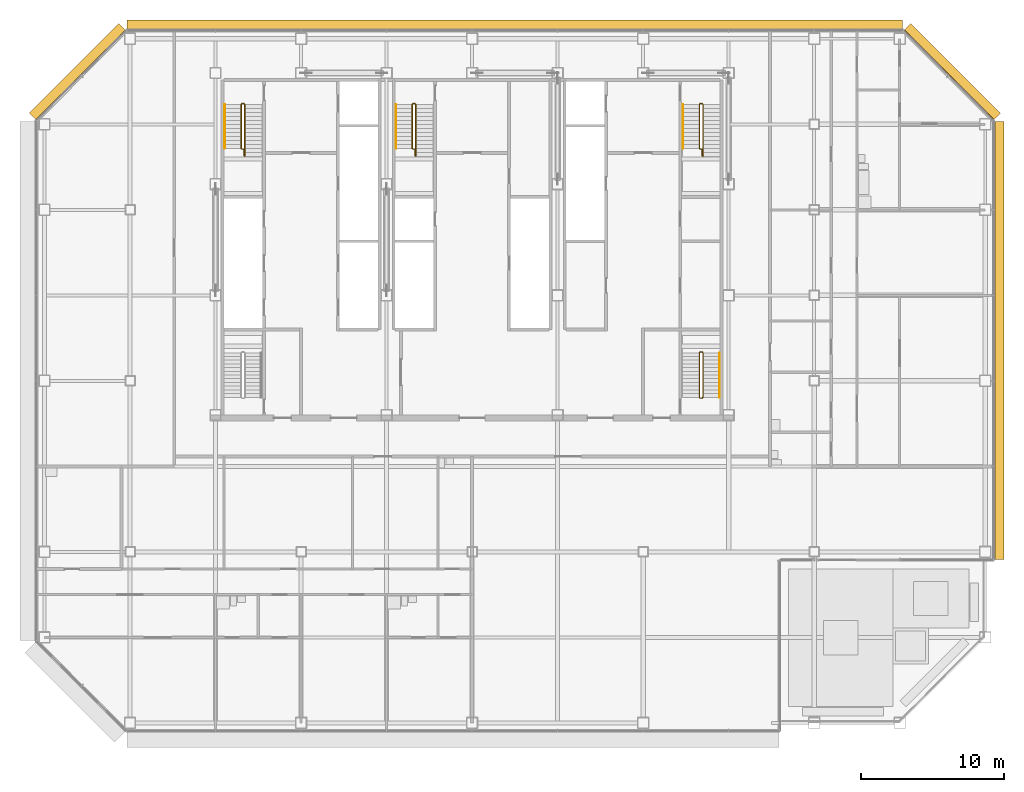
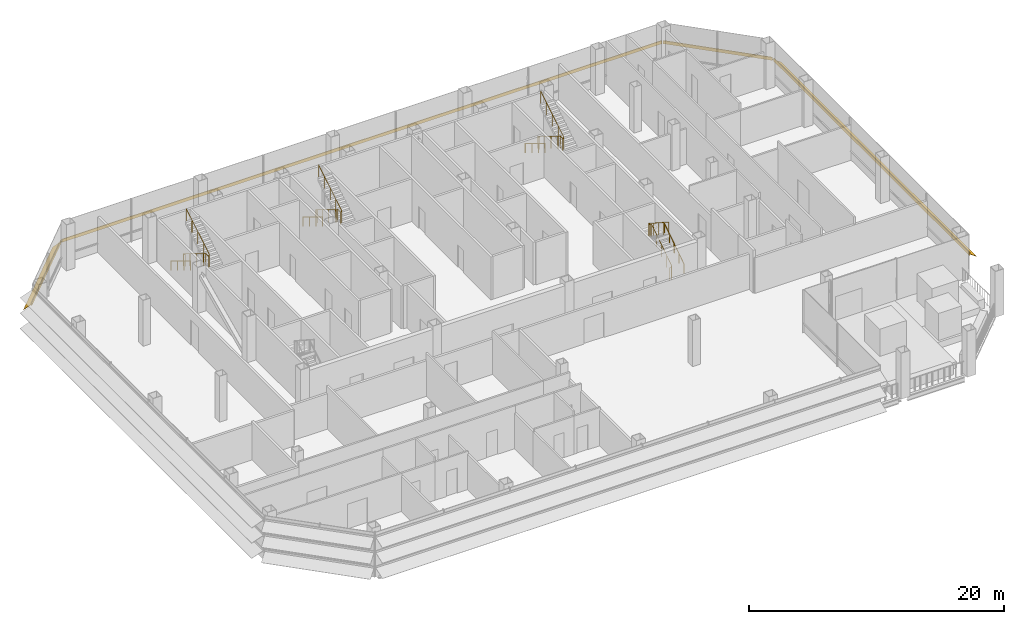
# One storey, part 26 of 28: 8 railings, 4 shading devices.
"""IFC4 building model written with IfcOpenShell, lengths in metres."""

from ifc_helpers import new_model, si_unit, direction, frame, origin, origin_2d, place, context, subcontext, project, spatial, polyline, circle, outline, extrude, material, type_object, element, save


model = new_model("IFC4")

# Units and contexts
model_context = context("Model", 3, precision=1e-05, world=origin(), true_north=direction((0.0, 1.0)))
body_context = subcontext(model_context, "Body", "Model", "MODEL_VIEW")
ifc_project = project(units=[si_unit("LENGTHUNIT", "METRE"), si_unit("AREAUNIT", "SQUARE_METRE"), si_unit("VOLUMEUNIT", "CUBIC_METRE"), si_unit("PLANEANGLEUNIT", "RADIAN"), si_unit("MASSUNIT", "GRAM", prefix="KILO")], contexts=[model_context])

# Site, building, storey
site_placement = place(None, origin())
site = spatial("IfcSite", under=ifc_project, at=site_placement, CompositionType="ELEMENT")
building_placement = place(site_placement, origin())
building = spatial("IfcBuilding", under=site, at=building_placement, Name="Sorahane Residences", CompositionType="ELEMENT")
storey_placement = place(building_placement, frame((0.0, 0.0, 134.0)))
storey = spatial("IfcBuildingStorey", under=building, at=storey_placement, Name="L30", CompositionType="ELEMENT", Elevation=134.0)

# Shading devices
ifc_material_1 = material(Name="Terracotta anodised aluminium", Category="masonry")
shading_device_type_1 = type_object("IfcShadingDeviceType", Name="Louvre sunshade blade E terracotta aluminium 700", PredefinedType="JALOUSIE", material=ifc_material_1)
shading_device_1_placement = place(storey_placement, frame((60.60009765625, 11.449951171875, 2.199951171875), z_axis=(0.0, 1.0, 0.0), x_axis=(-1.0, 0.0, 0.0)))
element("IfcShadingDevice", 1, at=shading_device_1_placement, inside=storey, type_object=shading_device_type_1, Name="Louvre sunshade blade bank E L30 E2", PredefinedType="JALOUSIE", context=body_context, shape_type="SweptSolid", body=[
    extrude(outline(polyline([(-0.719970703125, -0.49365234375), (-0.719970703125, -0.523681640625), (-0.080078125, -0.05859375), (-0.080078125, -0.14990234375), (-0.02001953125, -0.14990234375), (-0.02001953125, -0.014892578125), (-0.02001953125, 0.014892578125), (-0.02001953125, 0.14990234375), (-0.080078125, 0.14990234375), (-0.080078125, -0.028564453125), (-0.719970703125, -0.49365234375)])), origin(), (0.0, 0.0, 1.0), 30.74853515625),
])
ifc_material_2 = material(Name="Terracotta anodised aluminium", Category="masonry")
shading_device_type_2 = type_object("IfcShadingDeviceType", Name="Louvre sunshade blade N terracotta aluminium 700", PredefinedType="JALOUSIE", material=ifc_material_2)
shading_device_2_placement = place(storey_placement, frame((54.198486328125, 48.60009765625, 2.199951171875), z_axis=(-1.0, 0.0, 0.0), x_axis=(0.0, -1.0, 0.0)))
element("IfcShadingDevice", 2, at=shading_device_2_placement, inside=storey, type_object=shading_device_type_2, Name="Louvre sunshade blade bank N L30 N1", PredefinedType="JALOUSIE", context=body_context, shape_type="SweptSolid", body=[
    extrude(outline(polyline([(-0.719970703125, -0.660888671875), (-0.719970703125, -0.69091796875), (-0.080078125, -0.072998046875), (-0.080078125, -0.14990234375), (-0.02001953125, -0.14990234375), (-0.02001953125, -0.014892578125), (-0.02001953125, 0.014892578125), (-0.02001953125, 0.14990234375), (-0.080078125, 0.14990234375), (-0.080078125, -0.04296875), (-0.719970703125, -0.660888671875)])), origin(), (0.0, 0.0, 1.0), 54.39697265625),
])
ifc_material_3 = material(Name="Terracotta anodised aluminium", Category="masonry")
shading_device_type_3 = type_object("IfcShadingDeviceType", Name="Louvre sunshade blade NE terracotta aluminium 700", PredefinedType="JALOUSIE", material=ifc_material_3)
shading_device_3_placement = place(storey_placement, frame((60.564697265625, 42.283935546875, 2.199951171875), z_axis=(-0.707106781187, 0.707106781187, 0.0), x_axis=(-0.707106781187, -0.707106781187, 0.0)))
element("IfcShadingDevice", 3, at=shading_device_3_placement, inside=storey, type_object=shading_device_type_3, Name="Louvre sunshade blade bank NE L30 NE1", PredefinedType="JALOUSIE", context=body_context, shape_type="SweptSolid", body=[
    extrude(outline(polyline([(-0.719970703125, -0.572509765625), (-0.719970703125, -0.602294921875), (-0.080078125, -0.065185546875), (-0.080078125, -0.14990234375), (-0.02001953125, -0.14990234375), (-0.02001953125, -0.014892578125), (-0.02001953125, 0.014892578125), (-0.02001953125, 0.14990234375), (-0.080078125, 0.14990234375), (-0.080078125, -0.035400390625), (-0.719970703125, -0.572509765625)])), origin(), (0.0, 0.0, 1.0), 8.88232421875),
])
ifc_material_4 = material(Name="Terracotta anodised aluminium", Category="masonry")
shading_device_type_4 = type_object("IfcShadingDeviceType", Name="Louvre sunshade blade NW terracotta aluminium 700", PredefinedType="JALOUSIE", material=ifc_material_4)
shading_device_4_placement = place(storey_placement, frame((-0.283935546875, 48.564697265625, 2.199951171875), z_axis=(-0.707106781187, -0.707106781187, 0.0), x_axis=(0.707106781187, -0.707106781187, 0.0)))
element("IfcShadingDevice", 4, at=shading_device_4_placement, inside=storey, type_object=shading_device_type_4, Name="Louvre sunshade blade bank NW L30 NW1", PredefinedType="JALOUSIE", context=body_context, shape_type="SweptSolid", body=[
    extrude(outline(polyline([(-0.719970703125, -0.660888671875), (-0.719970703125, -0.69091796875), (-0.080078125, -0.072998046875), (-0.080078125, -0.14990234375), (-0.02001953125, -0.14990234375), (-0.02001953125, -0.014892578125), (-0.02001953125, 0.014892578125), (-0.02001953125, 0.14990234375), (-0.080078125, 0.14990234375), (-0.080078125, -0.04296875), (-0.719970703125, -0.660888671875)])), origin(), (0.0, 0.0, 1.0), 8.88232421875),
])

# Railings
ifc_material_5 = material(Name="Steel Q355B", Category="steel")
railing_type_1 = type_object("IfcRailingType", Name="Stair guard 1200 Steel Q355B", PredefinedType="GUARDRAIL", material=ifc_material_5)
railing_1_placement = place(storey_placement, frame((8.0, 43.449951171875, 0.0)))
element("IfcRailing", 5, at=railing_1_placement, inside=storey, type_object=railing_type_1, Name="L30 S1 stair guard 1", PredefinedType="GUARDRAIL", context=body_context, shape_type="SweptSolid", body=[
    extrude(circle(Radius=0.02392578125, at=origin_2d()), frame((0.0, 0.0, 1.17578125), z_axis=(-1.0, 0.0, 0.0), x_axis=(0.0, -1.0, 0.0)), (0.0, 0.0, 1.0), 0.14990234375),
    extrude(circle(Radius=0.02392578125, at=origin_2d()), frame((-0.14990234375, 0.0, 1.17578125), z_axis=(-0.272897288611, -0.272897288611, 0.922525956132), x_axis=(0.707106781187, -0.707106781187, 0.0)), (0.0, 0.0, 1.0), 0.183349609375),
    extrude(circle(Radius=0.02392578125, at=origin_2d()), frame((-0.199951171875, -0.050048828125, 1.34521484375), z_axis=(0.0, -0.855812307579, 0.51728647208), x_axis=(1.0, 0.0, 0.0)), (0.0, 0.0, 1.0), 3.5986328125),
    extrude(circle(Radius=0.02392578125, at=origin_2d()), frame((-0.199951171875, -3.1298828125, 3.20654296875), z_axis=(0.707106781187, -0.707106781187, 0.0), x_axis=(0.707106781187, 0.707106781187, 0.0)), (0.0, 0.0, 1.0), 0.07080078125),
    extrude(circle(Radius=0.02392578125, at=origin_2d()), frame((-0.14990234375, -3.179931640625, 3.20654296875), z_axis=(1.0, 0.0, 0.0), x_axis=(0.0, 1.0, 0.0)), (0.0, 0.0, 1.0), 0.14990234375),
    extrude(circle(Radius=0.02392578125, at=origin_2d()), frame((0.0, -3.179931640625, 3.20654296875), z_axis=(0.0, -1.0, 0.0), x_axis=(1.0, 0.0, 0.0)), (0.0, 0.0, 1.0), 0.4599609375),
    extrude(circle(Radius=0.02392578125, at=origin_2d()), frame((0.0, -3.639892578125, 3.20654296875), z_axis=(0.272897288611, -0.272897288611, 0.922525956132), x_axis=(0.707106781187, 0.707106781187, 0.0)), (0.0, 0.0, 1.0), 0.183349609375),
    extrude(circle(Radius=0.02392578125, at=origin_2d()), frame((0.050048828125, -3.68994140625, 3.3759765625), z_axis=(0.0, 0.855827133697, 0.517261942568), x_axis=(-1.0, 0.0, 0.0)), (0.0, 0.0, 1.0), 4.253173828125),
    extrude(circle(Radius=0.02099609375, at=origin_2d()), origin(), (0.0, 0.0, 1.0), 1.15185546875),
    extrude(circle(Radius=0.02099609375, at=origin_2d()), frame((-0.14990234375, 0.0, 0.0)), (0.0, 0.0, 1.0), 1.15185546875),
    extrude(circle(Radius=0.02099609375, at=origin_2d()), frame((-0.199951171875, -0.050048828125, 0.169189453125)), (0.0, 0.0, 1.0), 1.15185546875),
    extrude(circle(Radius=0.02099609375, at=origin_2d()), frame((-0.199951171875, -1.07666015625, 0.789794921875)), (0.0, 0.0, 1.0), 1.15185546875),
    extrude(circle(Radius=0.02099609375, at=origin_2d()), frame((-0.199951171875, -2.103271484375, 1.41015625)), (0.0, 0.0, 1.0), 1.15185546875),
    extrude(circle(Radius=0.02099609375, at=origin_2d()), frame((-0.199951171875, -3.1298828125, 2.03076171875)), (0.0, 0.0, 1.0), 1.15185546875),
    extrude(circle(Radius=0.02099609375, at=origin_2d()), frame((-0.14990234375, -3.179931640625, 2.03076171875)), (0.0, 0.0, 1.0), 1.15185546875),
    extrude(circle(Radius=0.02099609375, at=origin_2d()), frame((0.0, -3.179931640625, 2.03076171875)), (0.0, 0.0, 1.0), 1.15185546875),
    extrude(circle(Radius=0.02099609375, at=origin_2d()), frame((0.0, -3.639892578125, 2.03076171875)), (0.0, 0.0, 1.0), 1.15185546875),
    extrude(circle(Radius=0.02099609375, at=origin_2d()), frame((0.050048828125, -3.68994140625, 2.199951171875)), (0.0, 0.0, 1.0), 1.15185546875),
    extrude(circle(Radius=0.02099609375, at=origin_2d()), frame((0.050048828125, -2.780029296875, 2.75)), (0.0, 0.0, 1.0), 1.15185546875),
    extrude(circle(Radius=0.02099609375, at=origin_2d()), frame((0.050048828125, -1.8701171875, 3.2998046875)), (0.0, 0.0, 1.0), 1.15185546875),
    extrude(circle(Radius=0.02099609375, at=origin_2d()), frame((0.050048828125, -0.9599609375, 3.849853515625)), (0.0, 0.0, 1.0), 1.15185546875),
    extrude(circle(Radius=0.02099609375, at=origin_2d()), frame((0.050048828125, -0.050048828125, 4.39990234375)), (0.0, 0.0, 1.0), 1.15185546875),
])
railing_2_placement = place(storey_placement, frame((40.14990234375, 43.449951171875, 0.0)))
element("IfcRailing", 6, at=railing_2_placement, inside=storey, type_object=railing_type_1, Name="L30 S2 stair guard 1", PredefinedType="GUARDRAIL", context=body_context, shape_type="SweptSolid", body=[
    extrude(circle(Radius=0.02392578125, at=origin_2d()), frame((0.0, 0.0, 1.17578125), z_axis=(-1.0, 0.0, 0.0), x_axis=(0.0, -1.0, 0.0)), (0.0, 0.0, 1.0), 0.14990234375),
    extrude(circle(Radius=0.02392578125, at=origin_2d()), frame((-0.14990234375, 0.0, 1.17578125), z_axis=(-0.272897288611, -0.272897288611, 0.922525956132), x_axis=(0.707106781187, -0.707106781187, 0.0)), (0.0, 0.0, 1.0), 0.183349609375),
    extrude(circle(Radius=0.02392578125, at=origin_2d()), frame((-0.199951171875, -0.050048828125, 1.34521484375), z_axis=(0.0, -0.855812307579, 0.51728647208), x_axis=(1.0, 0.0, 0.0)), (0.0, 0.0, 1.0), 3.5986328125),
    extrude(circle(Radius=0.02392578125, at=origin_2d()), frame((-0.199951171875, -3.1298828125, 3.20654296875), z_axis=(0.707106781187, -0.707106781187, 0.0), x_axis=(0.707106781187, 0.707106781187, 0.0)), (0.0, 0.0, 1.0), 0.07080078125),
    extrude(circle(Radius=0.02392578125, at=origin_2d()), frame((-0.14990234375, -3.179931640625, 3.20654296875), z_axis=(1.0, 0.0, 0.0), x_axis=(0.0, 1.0, 0.0)), (0.0, 0.0, 1.0), 0.14990234375),
    extrude(circle(Radius=0.02392578125, at=origin_2d()), frame((0.0, -3.179931640625, 3.20654296875), z_axis=(0.0, -1.0, 0.0), x_axis=(1.0, 0.0, 0.0)), (0.0, 0.0, 1.0), 0.4599609375),
    extrude(circle(Radius=0.02392578125, at=origin_2d()), frame((0.0, -3.639892578125, 3.20654296875), z_axis=(0.272897288611, -0.272897288611, 0.922525956132), x_axis=(0.707106781187, 0.707106781187, 0.0)), (0.0, 0.0, 1.0), 0.183349609375),
    extrude(circle(Radius=0.02392578125, at=origin_2d()), frame((0.050048828125, -3.68994140625, 3.3759765625), z_axis=(0.0, 0.855827133697, 0.517261942568), x_axis=(-1.0, 0.0, 0.0)), (0.0, 0.0, 1.0), 4.253173828125),
    extrude(circle(Radius=0.02099609375, at=origin_2d()), origin(), (0.0, 0.0, 1.0), 1.15185546875),
    extrude(circle(Radius=0.02099609375, at=origin_2d()), frame((-0.14990234375, 0.0, 0.0)), (0.0, 0.0, 1.0), 1.15185546875),
    extrude(circle(Radius=0.02099609375, at=origin_2d()), frame((-0.199951171875, -0.050048828125, 0.169189453125)), (0.0, 0.0, 1.0), 1.15185546875),
    extrude(circle(Radius=0.02099609375, at=origin_2d()), frame((-0.199951171875, -1.07666015625, 0.789794921875)), (0.0, 0.0, 1.0), 1.15185546875),
    extrude(circle(Radius=0.02099609375, at=origin_2d()), frame((-0.199951171875, -2.103271484375, 1.41015625)), (0.0, 0.0, 1.0), 1.15185546875),
    extrude(circle(Radius=0.02099609375, at=origin_2d()), frame((-0.199951171875, -3.1298828125, 2.03076171875)), (0.0, 0.0, 1.0), 1.15185546875),
    extrude(circle(Radius=0.02099609375, at=origin_2d()), frame((-0.14990234375, -3.179931640625, 2.03076171875)), (0.0, 0.0, 1.0), 1.15185546875),
    extrude(circle(Radius=0.02099609375, at=origin_2d()), frame((0.0, -3.179931640625, 2.03076171875)), (0.0, 0.0, 1.0), 1.15185546875),
    extrude(circle(Radius=0.02099609375, at=origin_2d()), frame((0.0, -3.639892578125, 2.03076171875)), (0.0, 0.0, 1.0), 1.15185546875),
    extrude(circle(Radius=0.02099609375, at=origin_2d()), frame((0.050048828125, -3.68994140625, 2.199951171875)), (0.0, 0.0, 1.0), 1.15185546875),
    extrude(circle(Radius=0.02099609375, at=origin_2d()), frame((0.050048828125, -2.780029296875, 2.75)), (0.0, 0.0, 1.0), 1.15185546875),
    extrude(circle(Radius=0.02099609375, at=origin_2d()), frame((0.050048828125, -1.8701171875, 3.2998046875)), (0.0, 0.0, 1.0), 1.15185546875),
    extrude(circle(Radius=0.02099609375, at=origin_2d()), frame((0.050048828125, -0.9599609375, 3.849853515625)), (0.0, 0.0, 1.0), 1.15185546875),
    extrude(circle(Radius=0.02099609375, at=origin_2d()), frame((0.050048828125, -0.050048828125, 4.39990234375)), (0.0, 0.0, 1.0), 1.15185546875),
])
railing_3_placement = place(storey_placement, frame((20.0, 43.449951171875, 0.0)))
element("IfcRailing", 7, at=railing_3_placement, inside=storey, type_object=railing_type_1, Name="L30 S3 stair guard 1", PredefinedType="GUARDRAIL", context=body_context, shape_type="SweptSolid", body=[
    extrude(circle(Radius=0.02392578125, at=origin_2d()), frame((0.0, 0.0, 1.17578125), z_axis=(-1.0, 0.0, 0.0), x_axis=(0.0, -1.0, 0.0)), (0.0, 0.0, 1.0), 0.14990234375),
    extrude(circle(Radius=0.02392578125, at=origin_2d()), frame((-0.14990234375, 0.0, 1.17578125), z_axis=(-0.272897288611, -0.272897288611, 0.922525956132), x_axis=(0.707106781187, -0.707106781187, 0.0)), (0.0, 0.0, 1.0), 0.183349609375),
    extrude(circle(Radius=0.02392578125, at=origin_2d()), frame((-0.199951171875, -0.050048828125, 1.34521484375), z_axis=(0.0, -0.855812307579, 0.51728647208), x_axis=(1.0, 0.0, 0.0)), (0.0, 0.0, 1.0), 3.5986328125),
    extrude(circle(Radius=0.02392578125, at=origin_2d()), frame((-0.199951171875, -3.1298828125, 3.20654296875), z_axis=(0.707106781187, -0.707106781187, 0.0), x_axis=(0.707106781187, 0.707106781187, 0.0)), (0.0, 0.0, 1.0), 0.07080078125),
    extrude(circle(Radius=0.02392578125, at=origin_2d()), frame((-0.14990234375, -3.179931640625, 3.20654296875), z_axis=(1.0, 0.0, 0.0), x_axis=(0.0, 1.0, 0.0)), (0.0, 0.0, 1.0), 0.14990234375),
    extrude(circle(Radius=0.02392578125, at=origin_2d()), frame((0.0, -3.179931640625, 3.20654296875), z_axis=(0.0, -1.0, 0.0), x_axis=(1.0, 0.0, 0.0)), (0.0, 0.0, 1.0), 0.4599609375),
    extrude(circle(Radius=0.02392578125, at=origin_2d()), frame((0.0, -3.639892578125, 3.20654296875), z_axis=(0.272897288611, -0.272897288611, 0.922525956132), x_axis=(0.707106781187, 0.707106781187, 0.0)), (0.0, 0.0, 1.0), 0.183349609375),
    extrude(circle(Radius=0.02392578125, at=origin_2d()), frame((0.050048828125, -3.68994140625, 3.3759765625), z_axis=(0.0, 0.855827133697, 0.517261942568), x_axis=(-1.0, 0.0, 0.0)), (0.0, 0.0, 1.0), 4.253173828125),
    extrude(circle(Radius=0.02099609375, at=origin_2d()), origin(), (0.0, 0.0, 1.0), 1.15185546875),
    extrude(circle(Radius=0.02099609375, at=origin_2d()), frame((-0.14990234375, 0.0, 0.0)), (0.0, 0.0, 1.0), 1.15185546875),
    extrude(circle(Radius=0.02099609375, at=origin_2d()), frame((-0.199951171875, -0.050048828125, 0.169189453125)), (0.0, 0.0, 1.0), 1.15185546875),
    extrude(circle(Radius=0.02099609375, at=origin_2d()), frame((-0.199951171875, -1.07666015625, 0.789794921875)), (0.0, 0.0, 1.0), 1.15185546875),
    extrude(circle(Radius=0.02099609375, at=origin_2d()), frame((-0.199951171875, -2.103271484375, 1.41015625)), (0.0, 0.0, 1.0), 1.15185546875),
    extrude(circle(Radius=0.02099609375, at=origin_2d()), frame((-0.199951171875, -3.1298828125, 2.03076171875)), (0.0, 0.0, 1.0), 1.15185546875),
    extrude(circle(Radius=0.02099609375, at=origin_2d()), frame((-0.14990234375, -3.179931640625, 2.03076171875)), (0.0, 0.0, 1.0), 1.15185546875),
    extrude(circle(Radius=0.02099609375, at=origin_2d()), frame((0.0, -3.179931640625, 2.03076171875)), (0.0, 0.0, 1.0), 1.15185546875),
    extrude(circle(Radius=0.02099609375, at=origin_2d()), frame((0.0, -3.639892578125, 2.03076171875)), (0.0, 0.0, 1.0), 1.15185546875),
    extrude(circle(Radius=0.02099609375, at=origin_2d()), frame((0.050048828125, -3.68994140625, 2.199951171875)), (0.0, 0.0, 1.0), 1.15185546875),
    extrude(circle(Radius=0.02099609375, at=origin_2d()), frame((0.050048828125, -2.780029296875, 2.75)), (0.0, 0.0, 1.0), 1.15185546875),
    extrude(circle(Radius=0.02099609375, at=origin_2d()), frame((0.050048828125, -1.8701171875, 3.2998046875)), (0.0, 0.0, 1.0), 1.15185546875),
    extrude(circle(Radius=0.02099609375, at=origin_2d()), frame((0.050048828125, -0.9599609375, 3.849853515625)), (0.0, 0.0, 1.0), 1.15185546875),
    extrude(circle(Radius=0.02099609375, at=origin_2d()), frame((0.050048828125, -0.050048828125, 4.39990234375)), (0.0, 0.0, 1.0), 1.15185546875),
])
railing_4_placement = place(storey_placement, frame((40.0, 22.800048828125, 0.0)))
element("IfcRailing", 8, at=railing_4_placement, inside=storey, type_object=railing_type_1, Name="L30 S5 stair guard 1", PredefinedType="GUARDRAIL", context=body_context, shape_type="SweptSolid", body=[
    extrude(circle(Radius=0.02392578125, at=origin_2d()), frame((0.0, 0.0, 1.17578125), z_axis=(1.0, 0.0, 0.0), x_axis=(0.0, 1.0, 0.0)), (0.0, 0.0, 1.0), 0.14990234375),
    extrude(circle(Radius=0.02392578125, at=origin_2d()), frame((0.14990234375, 0.0, 1.17578125), z_axis=(0.272897288611, 0.272897288611, 0.922525956132), x_axis=(-0.707106781187, 0.707106781187, 0.0)), (0.0, 0.0, 1.0), 0.183349609375),
    extrude(circle(Radius=0.02392578125, at=origin_2d()), frame((0.199951171875, 0.050048828125, 1.34521484375), z_axis=(0.0, 0.838094317583, 0.54552535673), x_axis=(-1.0, 0.0, 0.0)), (0.0, 0.0, 1.0), 3.72265625),
    extrude(circle(Radius=0.02392578125, at=origin_2d()), frame((0.199951171875, 3.169921875, 3.3759765625), z_axis=(-0.707106781187, 0.707106781187, 0.0), x_axis=(-0.707106781187, -0.707106781187, 0.0)), (0.0, 0.0, 1.0), 0.07080078125),
    extrude(circle(Radius=0.02392578125, at=origin_2d()), frame((0.14990234375, 3.219970703125, 3.3759765625), z_axis=(-1.0, 0.0, 0.0), x_axis=(0.0, -1.0, 0.0)), (0.0, 0.0, 1.0), 0.14990234375),
    extrude(circle(Radius=0.02392578125, at=origin_2d()), frame((0.0, 3.219970703125, 3.3759765625), z_axis=(-0.272897288611, -0.272897288611, 0.922525956132), x_axis=(0.707106781187, -0.707106781187, 0.0)), (0.0, 0.0, 1.0), 0.183349609375),
    extrude(circle(Radius=0.02392578125, at=origin_2d()), frame((-0.050048828125, 3.169921875, 3.544921875), z_axis=(0.0, -0.838094317583, 0.54552535673), x_axis=(1.0, 0.0, 0.0)), (0.0, 0.0, 1.0), 3.72265625),
    extrude(circle(Radius=0.02099609375, at=origin_2d()), origin(), (0.0, 0.0, 1.0), 1.15185546875),
    extrude(circle(Radius=0.02099609375, at=origin_2d()), frame((0.14990234375, 0.0, 0.0)), (0.0, 0.0, 1.0), 1.15185546875),
    extrude(circle(Radius=0.02099609375, at=origin_2d()), frame((0.199951171875, 0.050048828125, 0.169189453125)), (0.0, 0.0, 1.0), 1.15185546875),
    extrude(circle(Radius=0.02099609375, at=origin_2d()), frame((0.199951171875, 0.830078125, 0.6767578125)), (0.0, 0.0, 1.0), 1.15185546875),
    extrude(circle(Radius=0.02099609375, at=origin_2d()), frame((0.199951171875, 1.60986328125, 1.1845703125)), (0.0, 0.0, 1.0), 1.15185546875),
    extrude(circle(Radius=0.02099609375, at=origin_2d()), frame((0.199951171875, 2.389892578125, 1.6923828125)), (0.0, 0.0, 1.0), 1.15185546875),
    extrude(circle(Radius=0.02099609375, at=origin_2d()), frame((0.199951171875, 3.169921875, 2.199951171875)), (0.0, 0.0, 1.0), 1.15185546875),
    extrude(circle(Radius=0.02099609375, at=origin_2d()), frame((0.14990234375, 3.219970703125, 2.199951171875)), (0.0, 0.0, 1.0), 1.15185546875),
    extrude(circle(Radius=0.02099609375, at=origin_2d()), frame((0.0, 3.219970703125, 2.199951171875)), (0.0, 0.0, 1.0), 1.15185546875),
    extrude(circle(Radius=0.02099609375, at=origin_2d()), frame((-0.050048828125, 3.169921875, 2.369140625)), (0.0, 0.0, 1.0), 1.15185546875),
    extrude(circle(Radius=0.02099609375, at=origin_2d()), frame((-0.050048828125, 2.389892578125, 2.876953125)), (0.0, 0.0, 1.0), 1.15185546875),
    extrude(circle(Radius=0.02099609375, at=origin_2d()), frame((-0.050048828125, 1.60986328125, 3.384521484375)), (0.0, 0.0, 1.0), 1.15185546875),
    extrude(circle(Radius=0.02099609375, at=origin_2d()), frame((-0.050048828125, 0.830078125, 3.89208984375)), (0.0, 0.0, 1.0), 1.15185546875),
    extrude(circle(Radius=0.02099609375, at=origin_2d()), frame((-0.050048828125, 0.050048828125, 4.39990234375)), (0.0, 0.0, 1.0), 1.15185546875),
])
ifc_material_6 = material(Name="Steel Q355B", Category="steel")
railing_type_2 = type_object("IfcRailingType", Name="Stair handrail 900 Steel Q355B", PredefinedType="HANDRAIL", material=ifc_material_6)
for number, where, name in (
    (9, (6.64990234375, 43.39990234375, 0.169189453125), "L30 S1 stair handrail 1"),
    (10, (38.800048828125, 43.39990234375, 0.169189453125), "L30 S2 stair handrail 1"),
    (11, (18.64990234375, 43.39990234375, 0.169189453125), "L30 S3 stair handrail 1"),
):
    element("IfcRailing", number, at=place(storey_placement, frame(where)), inside=storey, type_object=railing_type_2, Name=name, PredefinedType="HANDRAIL", context=body_context, shape_type="SweptSolid", body=[
        extrude(circle(Radius=0.02392578125, at=origin_2d()), frame((0.0, 0.0, 0.8759765625), z_axis=(0.0, -0.855812307579, 0.51728647208), x_axis=(1.0, 0.0, 0.0)), (0.0, 0.0, 1.0), 3.5986328125),
        extrude(circle(Radius=0.02099609375, at=origin_2d()), origin(), (0.0, 0.0, 1.0), 0.851806640625),
        extrude(circle(Radius=0.02099609375, at=origin_2d()), frame((0.0, -1.026611328125, 0.62060546875)), (0.0, 0.0, 1.0), 0.851806640625),
        extrude(circle(Radius=0.02099609375, at=origin_2d()), frame((0.0, -2.05322265625, 1.240966796875)), (0.0, 0.0, 1.0), 0.851806640625),
        extrude(circle(Radius=0.02099609375, at=origin_2d()), frame((0.0, -3.079833984375, 1.861572265625)), (0.0, 0.0, 1.0), 0.851806640625),
    ])
railing_5_placement = place(storey_placement, frame((41.35009765625, 22.85009765625, 0.169189453125)))
element("IfcRailing", 12, at=railing_5_placement, inside=storey, type_object=railing_type_2, Name="L30 S5 stair handrail 1", PredefinedType="HANDRAIL", context=body_context, shape_type="SweptSolid", body=[
    extrude(circle(Radius=0.02392578125, at=origin_2d()), frame((0.0, 0.0, 0.8759765625), z_axis=(0.0, 0.838094317583, 0.54552535673), x_axis=(-1.0, 0.0, 0.0)), (0.0, 0.0, 1.0), 3.72265625),
    extrude(circle(Radius=0.02099609375, at=origin_2d()), origin(), (0.0, 0.0, 1.0), 0.851806640625),
    extrude(circle(Radius=0.02099609375, at=origin_2d()), frame((0.0, 0.780029296875, 0.5078125)), (0.0, 0.0, 1.0), 0.851806640625),
    extrude(circle(Radius=0.02099609375, at=origin_2d()), frame((0.0, 1.56005859375, 1.015380859375)), (0.0, 0.0, 1.0), 0.851806640625),
    extrude(circle(Radius=0.02099609375, at=origin_2d()), frame((0.0, 2.33984375, 1.52294921875)), (0.0, 0.0, 1.0), 0.851806640625),
    extrude(circle(Radius=0.02099609375, at=origin_2d()), frame((0.0, 3.119873046875, 2.03076171875)), (0.0, 0.0, 1.0), 0.851806640625),
])

save(model, "model.ifc")
